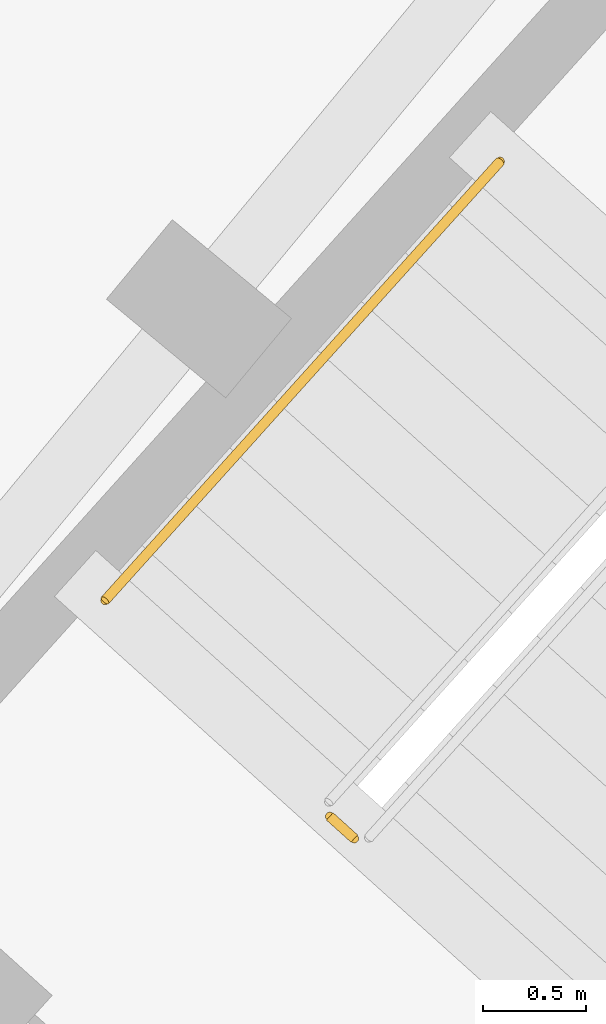
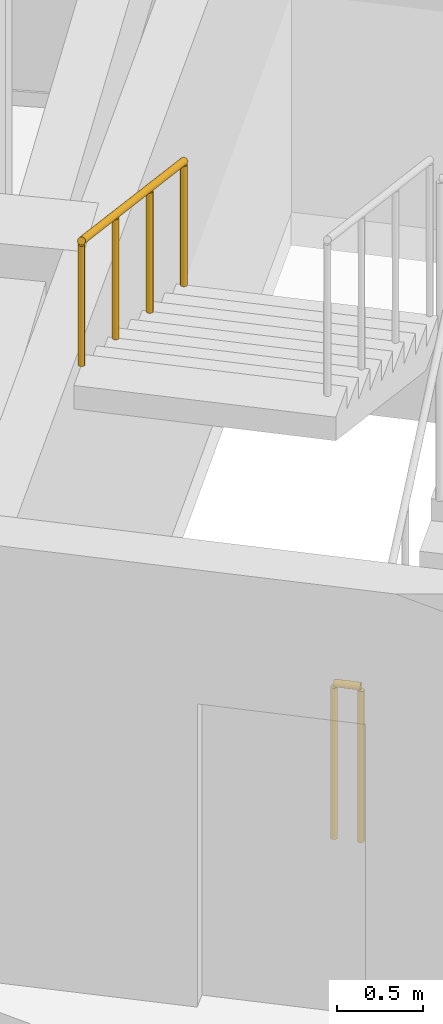
# One storey, part 36 of 38: 2 railings.
"""IFC4 building model written with IfcOpenShell, lengths in metres."""

from ifc_helpers import new_model, si_unit, direction, frame, origin, origin_2d, place, context, subcontext, project, spatial, circle, extrude, material, type_object, element, save


model = new_model("IFC4")

# Units and contexts
model_context = context("Model", 3, precision=1e-05, world=origin(), true_north=direction((0.0, 1.0)))
body_context = subcontext(model_context, "Body", "Model", "MODEL_VIEW")
ifc_project = project(units=[si_unit("LENGTHUNIT", "METRE"), si_unit("AREAUNIT", "SQUARE_METRE"), si_unit("VOLUMEUNIT", "CUBIC_METRE"), si_unit("PLANEANGLEUNIT", "RADIAN"), si_unit("MASSUNIT", "GRAM", prefix="KILO")], contexts=[model_context])

# Site, building, storey
site_placement = place(None, origin())
site = spatial("IfcSite", under=ifc_project, at=site_placement, CompositionType="ELEMENT")
building_placement = place(site_placement, origin())
building = spatial("IfcBuilding", under=site, at=building_placement, Name="Zimvara Arc Housing Community", CompositionType="ELEMENT")
storey_placement = place(building_placement, frame((0.0, 0.0, 29.800048828125)))
storey = spatial("IfcBuildingStorey", under=building, at=storey_placement, Name="L09", CompositionType="ELEMENT", Elevation=29.800048828125)

# Railings
ifc_material_1 = material(Name="Anodised Aluminium AW-6063", Category="aluminium")
railing_type_1 = type_object("IfcRailingType", Name="RLG-BAL-1120", PredefinedType="BALUSTRADE", material=ifc_material_1)
railing_1_placement = place(storey_placement, frame((80.074951171875, 83.3623046875, 0.0)))
element("IfcRailing", 1, at=railing_1_placement, inside=storey, type_object=railing_type_1, Name="L09 ST-B2 stair guard 4", PredefinedType="BALUSTRADE", context=body_context, shape_type="SweptSolid", body=[
    extrude(circle(Radius=0.02392578125, at=origin_2d()), frame((0.0, 0.0, 1.09619140625), z_axis=(-0.742763048172, 0.669554369913, 0.0), x_axis=(-0.669554369913, -0.742763048172, 0.0)), (0.0, 0.0, 1.0), 0.16015625),
    extrude(circle(Radius=0.02099609375, at=origin_2d()), origin(), (0.0, 0.0, 1.0), 1.072021484375),
    extrude(circle(Radius=0.02099609375, at=origin_2d()), frame((-0.118896484375, 0.107177734375, 0.0)), (0.0, 0.0, 1.0), 1.072021484375),
])
ifc_material_2 = material(Name="Anodised Aluminium AW-6063", Category="aluminium")
railing_type_2 = type_object("IfcRailingType", Name="RLG-HND-900", PredefinedType="HANDRAIL", material=ifc_material_2)
railing_2_placement = place(storey_placement, frame((80.78125, 86.64404296875, 1.704833984375)))
element("IfcRailing", 2, at=railing_2_placement, inside=storey, type_object=railing_type_2, Name="L09 ST-B2 stair handrail 2", PredefinedType="HANDRAIL", context=body_context, shape_type="SweptSolid", body=[
    extrude(circle(Radius=0.02392578125, at=origin_2d()), frame((0.0, 0.0, 0.8759765625), z_axis=(-0.601262536038, -0.668205807809, 0.438160200347), x_axis=(0.743362010683, -0.668889319, 0.0)), (0.0, 0.0, 1.0), 3.183837890625),
    extrude(circle(Radius=0.02099609375, at=origin_2d()), origin(), (0.0, 0.0, 1.0), 0.851806640625),
    extrude(circle(Radius=0.02099609375, at=origin_2d()), frame((-0.63818359375, -0.709228515625, 0.465087890625)), (0.0, 0.0, 1.0), 0.851806640625),
    extrude(circle(Radius=0.02099609375, at=origin_2d()), frame((-1.276123046875, -1.418212890625, 0.929931640625)), (0.0, 0.0, 1.0), 0.851806640625),
    extrude(circle(Radius=0.02099609375, at=origin_2d()), frame((-1.914306640625, -2.12744140625, 1.39501953125)), (0.0, 0.0, 1.0), 0.851806640625),
])

save(model, "model.ifc")
